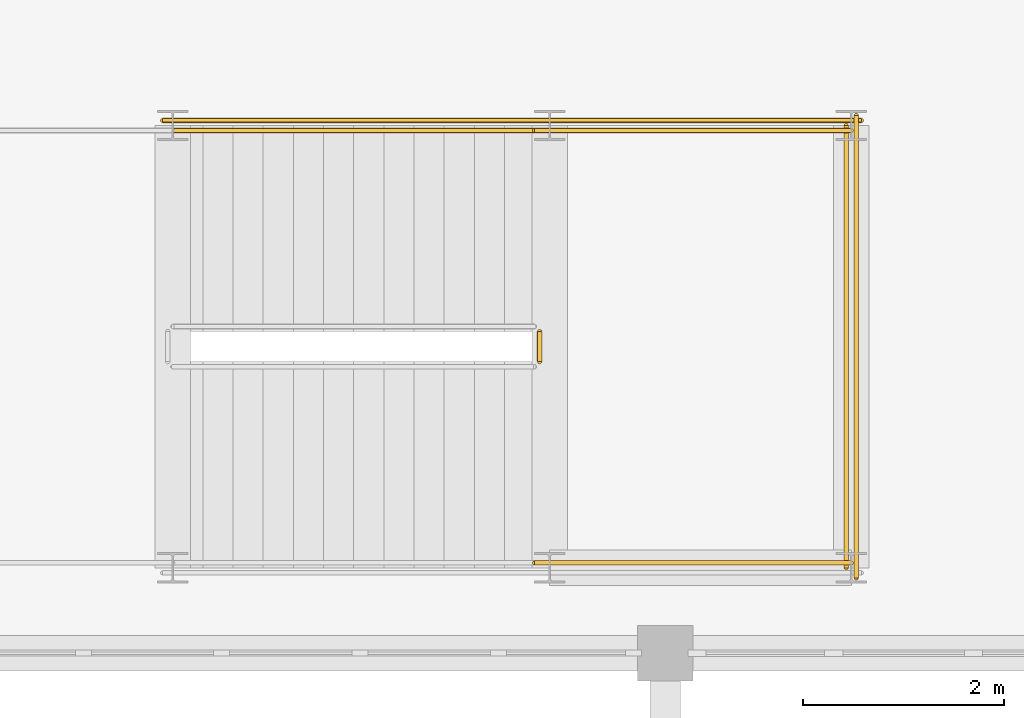
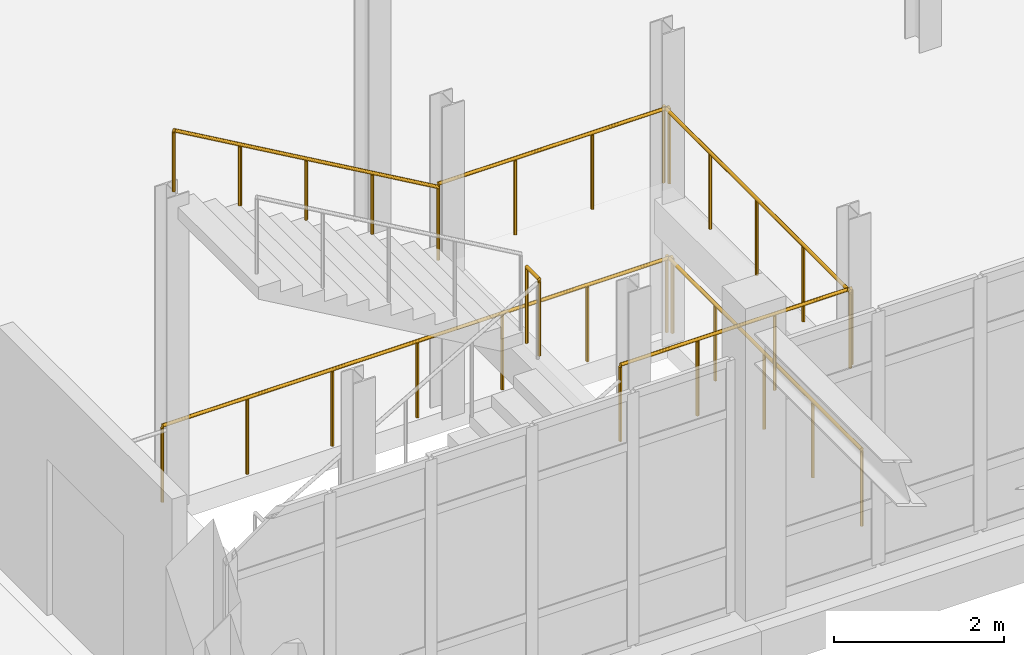
# One storey, part 112 of 128: 7 railings.
"""IFC4 building model written with IfcOpenShell, lengths in metres."""

from ifc_helpers import new_model, si_unit, direction, frame, origin, origin_2d, place, context, subcontext, project, spatial, circle, extrude, material, type_object, element, save


model = new_model("IFC4")

# Units and contexts
model_context = context("Model", 3, precision=1e-05, world=origin(), true_north=direction((0.0, 1.0)))
body_context = subcontext(model_context, "Body", "Model", "MODEL_VIEW")
ifc_project = project(units=[si_unit("LENGTHUNIT", "METRE"), si_unit("AREAUNIT", "SQUARE_METRE"), si_unit("VOLUMEUNIT", "CUBIC_METRE"), si_unit("PLANEANGLEUNIT", "RADIAN"), si_unit("MASSUNIT", "GRAM", prefix="KILO")], contexts=[model_context])

# Site, building, storey
site_placement = place(None, origin())
site = spatial("IfcSite", under=ifc_project, at=site_placement, CompositionType="ELEMENT")
building_placement = place(site_placement, origin())
building = spatial("IfcBuilding", under=site, at=building_placement, Name="Dalvernix Boulevard General Hospital", CompositionType="ELEMENT")
storey_placement = place(building_placement, frame((0.0, 0.0, 4.800048828125)))
storey = spatial("IfcBuildingStorey", under=building, at=storey_placement, Name="L01", CompositionType="ELEMENT", Elevation=4.800048828125)

# Railings
ifc_material_1 = material(Name="Brushed stainless steel balustrade", Category="steel")
railing_type_1 = type_object("IfcRailingType", Name="RL-GR-INT1", PredefinedType="BALUSTRADE", material=ifc_material_1)
railing_1_placement = place(storey_placement, frame((66.25, 25.39990234375, 2.25)))
element("IfcRailing", 1, at=railing_1_placement, inside=storey, type_object=railing_type_1, Name="L01 ST-07 stair guard 2", PredefinedType="BALUSTRADE", context=body_context, shape_type="SweptSolid", body=[
    extrude(circle(Radius=0.02392578125, at=origin_2d()), frame((0.0, 0.0, 1.09619140625), z_axis=(0.0, 1.0, 0.0), x_axis=(-1.0, 0.0, 0.0)), (0.0, 0.0, 1.0), 0.300048828125),
    extrude(circle(Radius=0.02099609375, at=origin_2d()), origin(), (0.0, 0.0, 1.0), 1.072021484375),
    extrude(circle(Radius=0.02099609375, at=origin_2d()), frame((0.0, 0.300048828125, 0.0)), (0.0, 0.0, 1.0), 1.072021484375),
])
for number, where, name in (
    (2, (66.199951171875, 23.39990234375, 2.25), "L01 ST-07 stair guard 3"),
    (3, (66.199951171875, 27.699951171875, 2.25), "L01 ST-07 stair guard 4"),
):
    element("IfcRailing", number, at=place(storey_placement, frame(where)), inside=storey, type_object=railing_type_1, Name=name, PredefinedType="BALUSTRADE", context=body_context, shape_type="SweptSolid", body=[
        extrude(circle(Radius=0.02392578125, at=origin_2d()), frame((0.0, 0.0, 1.09619140625), z_axis=(1.0, 0.0, 0.0), x_axis=(0.0, 1.0, 0.0)), (0.0, 0.0, 1.0), 3.150146484375),
        extrude(circle(Radius=0.02099609375, at=origin_2d()), origin(), (0.0, 0.0, 1.0), 1.072021484375),
        extrude(circle(Radius=0.02099609375, at=origin_2d()), frame((1.050048828125, 0.0, 0.0)), (0.0, 0.0, 1.0), 1.072021484375),
        extrude(circle(Radius=0.02099609375, at=origin_2d()), frame((2.10009765625, 0.0, 0.0)), (0.0, 0.0, 1.0), 1.072021484375),
        extrude(circle(Radius=0.02099609375, at=origin_2d()), frame((3.150146484375, 0.0, 0.0)), (0.0, 0.0, 1.0), 1.072021484375),
    ])
railing_2_placement = place(storey_placement, frame((69.300048828125, 23.35009765625, 2.25)))
element("IfcRailing", 4, at=railing_2_placement, inside=storey, type_object=railing_type_1, Name="L01 ST-07 stair guard 5", PredefinedType="BALUSTRADE", context=body_context, shape_type="SweptSolid", body=[
    extrude(circle(Radius=0.02392578125, at=origin_2d()), frame((0.0, 0.0, 1.09619140625), z_axis=(0.0, 1.0, 0.0), x_axis=(-1.0, 0.0, 0.0)), (0.0, 0.0, 1.0), 4.39990234375),
    extrude(circle(Radius=0.02099609375, at=origin_2d()), origin(), (0.0, 0.0, 1.0), 1.072021484375),
    extrude(circle(Radius=0.02099609375, at=origin_2d()), frame((0.0, 1.10009765625, 0.0)), (0.0, 0.0, 1.0), 1.072021484375),
    extrude(circle(Radius=0.02099609375, at=origin_2d()), frame((0.0, 2.199951171875, 0.0)), (0.0, 0.0, 1.0), 1.072021484375),
    extrude(circle(Radius=0.02099609375, at=origin_2d()), frame((0.0, 3.2998046875, 0.0)), (0.0, 0.0, 1.0), 1.072021484375),
    extrude(circle(Radius=0.02099609375, at=origin_2d()), frame((0.0, 4.39990234375, 0.0)), (0.0, 0.0, 1.0), 1.072021484375),
])
railing_3_placement = place(storey_placement, frame((62.5, 27.800048828125, 0.0)))
element("IfcRailing", 5, at=railing_3_placement, inside=storey, type_object=railing_type_1, Name="L01 ST-07 stair guard 11", PredefinedType="BALUSTRADE", context=body_context, shape_type="SweptSolid", body=[
    extrude(circle(Radius=0.02392578125, at=origin_2d()), frame((0.0, 0.0, 1.09619140625), z_axis=(1.0, 0.0, 0.0), x_axis=(0.0, 1.0, 0.0)), (0.0, 0.0, 1.0), 6.949951171875),
    extrude(circle(Radius=0.02099609375, at=origin_2d()), origin(), (0.0, 0.0, 1.0), 1.072021484375),
    extrude(circle(Radius=0.02099609375, at=origin_2d()), frame((1.158203125, 0.0, 0.0)), (0.0, 0.0, 1.0), 1.072021484375),
    extrude(circle(Radius=0.02099609375, at=origin_2d()), frame((2.316650390625, 0.0, 0.0)), (0.0, 0.0, 1.0), 1.072021484375),
    extrude(circle(Radius=0.02099609375, at=origin_2d()), frame((3.47509765625, 0.0, 0.0)), (0.0, 0.0, 1.0), 1.072021484375),
    extrude(circle(Radius=0.02099609375, at=origin_2d()), frame((4.63330078125, 0.0, 0.0)), (0.0, 0.0, 1.0), 1.072021484375),
    extrude(circle(Radius=0.02099609375, at=origin_2d()), frame((5.79150390625, 0.0, 0.0)), (0.0, 0.0, 1.0), 1.072021484375),
    extrude(circle(Radius=0.02099609375, at=origin_2d()), frame((6.949951171875, 0.0, 0.0)), (0.0, 0.0, 1.0), 1.072021484375),
])
railing_4_placement = place(storey_placement, frame((69.39990234375, 23.25, 0.0)))
element("IfcRailing", 6, at=railing_4_placement, inside=storey, type_object=railing_type_1, Name="L01 ST-07 stair guard 12", PredefinedType="BALUSTRADE", context=body_context, shape_type="SweptSolid", body=[
    extrude(circle(Radius=0.02392578125, at=origin_2d()), frame((0.0, 0.0, 1.09619140625), z_axis=(0.0, 1.0, 0.0), x_axis=(-1.0, 0.0, 0.0)), (0.0, 0.0, 1.0), 4.60009765625),
    extrude(circle(Radius=0.02099609375, at=origin_2d()), origin(), (0.0, 0.0, 1.0), 1.072021484375),
    extrude(circle(Radius=0.02099609375, at=origin_2d()), frame((0.0, 1.14990234375, 0.0)), (0.0, 0.0, 1.0), 1.072021484375),
    extrude(circle(Radius=0.02099609375, at=origin_2d()), frame((0.0, 2.300048828125, 0.0)), (0.0, 0.0, 1.0), 1.072021484375),
    extrude(circle(Radius=0.02099609375, at=origin_2d()), frame((0.0, 3.4501953125, 0.0)), (0.0, 0.0, 1.0), 1.072021484375),
    extrude(circle(Radius=0.02099609375, at=origin_2d()), frame((0.0, 4.60009765625, 0.0)), (0.0, 0.0, 1.0), 1.072021484375),
])
ifc_material_2 = material(Name="Brushed stainless steel wall handrail", Category="steel")
railing_type_2 = type_object("IfcRailingType", Name="RL-HR-INT1", PredefinedType="HANDRAIL", material=ifc_material_2)
railing_5_placement = place(storey_placement, frame((66.199951171875, 27.699951171875, 2.423095703125)))
element("IfcRailing", 7, at=railing_5_placement, inside=storey, type_object=railing_type_2, Name="L01 ST-07 stair handrail 2", PredefinedType="HANDRAIL", context=body_context, shape_type="SweptSolid", body=[
    extrude(circle(Radius=0.02392578125, at=origin_2d()), frame((0.0, 0.0, 0.8759765625), z_axis=(-0.866178740119, 0.0, 0.499734319579), x_axis=(0.0, -1.0, 0.0)), (0.0, 0.0, 1.0), 4.156005859375),
    extrude(circle(Radius=0.02099609375, at=origin_2d()), origin(), (0.0, 0.0, 1.0), 0.851806640625),
    extrude(circle(Radius=0.02099609375, at=origin_2d()), frame((-0.89990234375, 0.0, 0.519287109375)), (0.0, 0.0, 1.0), 0.851806640625),
    extrude(circle(Radius=0.02099609375, at=origin_2d()), frame((-1.7998046875, 0.0, 1.03857421875)), (0.0, 0.0, 1.0), 0.851806640625),
    extrude(circle(Radius=0.02099609375, at=origin_2d()), frame((-2.699951171875, 0.0, 1.5576171875)), (0.0, 0.0, 1.0), 0.851806640625),
    extrude(circle(Radius=0.02099609375, at=origin_2d()), frame((-3.599853515625, 0.0, 2.076904296875)), (0.0, 0.0, 1.0), 0.851806640625),
])

save(model, "model.ifc")
